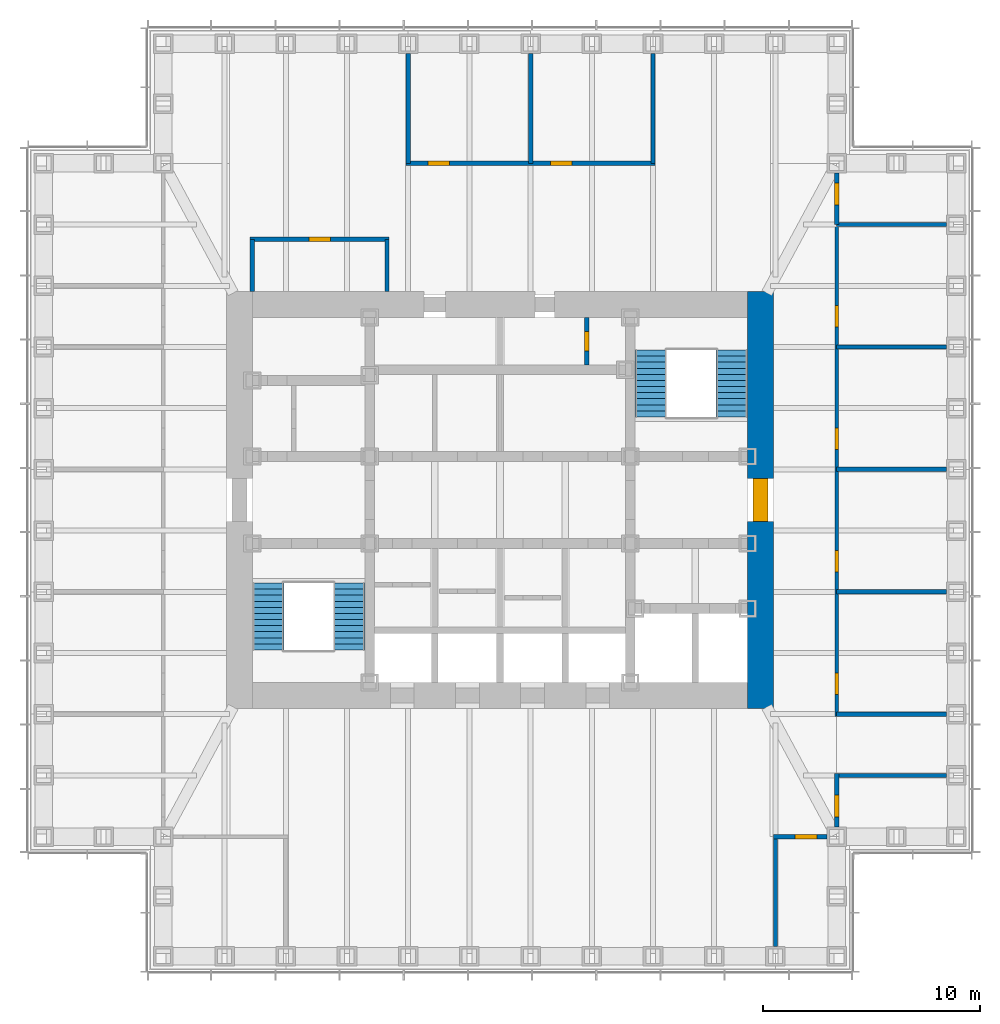
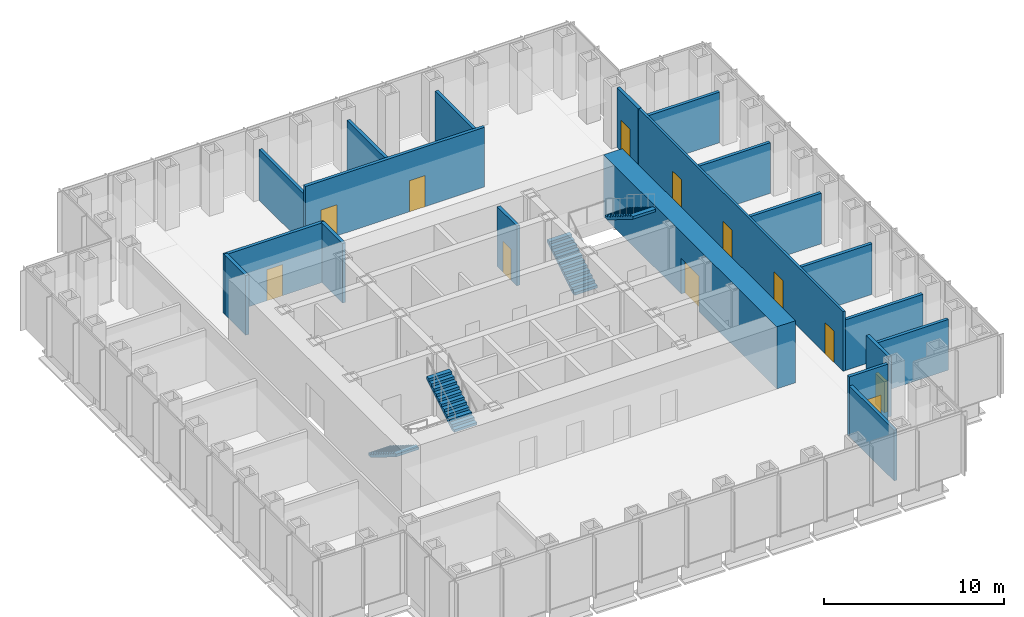
# One storey, part 10 of 16: 20 walls, 12 doors, 4 stair flights, 12 openings, 2 elements without a shape of their own.
"""IFC4 building model written with IfcOpenShell, lengths in metres."""

from ifc_helpers import new_model, si_unit, direction, frame, frame_2d, origin, place, context, subcontext, project, spatial, polyline, rectangle, outline, extrude, material, layer, layer_set, type_object, element, fill, aggregate, save


model = new_model("IFC4")

# Units and contexts
model_context = context("Model", 3, precision=1e-05, world=origin(), true_north=direction((0.0, 1.0)))
body_context = subcontext(model_context, "Body", "Model", "MODEL_VIEW")
ifc_project = project(units=[si_unit("LENGTHUNIT", "METRE"), si_unit("AREAUNIT", "SQUARE_METRE"), si_unit("VOLUMEUNIT", "CUBIC_METRE"), si_unit("PLANEANGLEUNIT", "RADIAN"), si_unit("MASSUNIT", "GRAM", prefix="KILO")], contexts=[model_context])

# Site, building, storey
site_placement = place(None, origin())
site = spatial("IfcSite", under=ifc_project, at=site_placement, CompositionType="ELEMENT")
building_placement = place(site_placement, origin())
building = spatial("IfcBuilding", under=site, at=building_placement, Name="Daluyong Arena Tower", CompositionType="ELEMENT")
storey_placement = place(building_placement, frame((0.0, 0.0, 189.699951171875)))
storey = spatial("IfcBuildingStorey", under=building, at=storey_placement, Name="L42", CompositionType="ELEMENT", Elevation=189.699951171875)

# Wall, opening, door
ifc_material_1 = material(Name="Concrete fc' 60 MPa", Category="concrete")
ifc_layer_1 = layer(ifc_material_1, 1.199951171875)
ifc_layer_set_1 = layer_set([ifc_layer_1], Name="Concrete fc' 60 MPa")
wall_type_1 = type_object("IfcWallType", Name="Core wall 1200", PredefinedType="SHEAR", material=ifc_layer_set_1)
wall_1_placement = place(storey_placement, frame((68.0, 70.39990234375, 0.0), z_axis=(0.0, 0.0, 1.0), x_axis=(0.0, 1.0, 0.0)))
wall_1 = element("IfcWall", 1, at=wall_1_placement, inside=storey, type_object=wall_type_1, Name="core wall at L42", PredefinedType="SHEAR", context=body_context, shape_type="SweptSolid", body=[
    extrude(rectangle(XDim=19.2001953125, YDim=1.199951171875, at=frame_2d((9.60009765625, 0.0))), origin(), (0.0, 0.0, 1.0), 4.199951171875),
])
opening_1_placement = place(wall_1_placement, frame((8.60009765625, 0.0, 0.0)))
opening_1 = element("IfcOpeningElement", 2, at=opening_1_placement, cuts=wall_1, Name="Opening 42021", PredefinedType="OPENING", context=body_context, shape_type="SweptSolid", body=[
    extrude(rectangle(XDim=2.0, YDim=2.39990234375, at=frame_2d((1.0, 1.199951171875))), frame((0.0, 0.60986328125, 0.0), z_axis=(0.0, -1.0, 0.0), x_axis=(1.0, 0.0, 0.0)), (0.0, 0.0, 1.0), 1.219970703125),
])
ifc_material_2 = material(Name="Steel door, fire rated", Category="steel")
door_type_1 = type_object("IfcDoorType", Name="Core lobby double door 2000", OperationType="DOUBLE_DOOR_SINGLE_SWING", PredefinedType="DOOR", material=ifc_material_2)
door_1_placement = place(opening_1_placement, origin())
door_1 = element("IfcDoor", 3, at=door_1_placement, inside=storey, type_object=door_type_1, Name="core lobby door east 42021", OperationType="DOUBLE_DOOR_SINGLE_SWING", OverallHeight=2.39990234375, OverallWidth=2.0, PredefinedType="DOOR", context=body_context, shape_type="SweptSolid", body=[
    extrude(rectangle(XDim=2.0, YDim=2.39990234375, at=frame_2d((1.0, 1.199951171875))), frame((0.0, 0.35009765625, 0.0), z_axis=(0.0, -1.0, 0.0), x_axis=(1.0, 0.0, 0.0)), (0.0, 0.0, 1.0), 0.699951171875),
])
fill(opening_1, door_1)

ifc_material_3 = material(Name="Concrete block partition, fire rated", Category="concrete")
ifc_layer_2 = layer(ifc_material_3, 0.199951171875)
ifc_layer_set_2 = layer_set([ifc_layer_2], Name="Concrete block partition, fire rated")
wall_type_2 = type_object("IfcWallType", Name="Fire-rated partition 200", PredefinedType="PARTITIONING", material=ifc_layer_set_2)
wall_2_placement = place(storey_placement, frame((60.0, 86.22509765625, 0.0), z_axis=(0.0, 0.0, 1.0), x_axis=(0.0, 1.0, 0.0)))
wall_2 = element("IfcWall", 4, at=wall_2_placement, inside=storey, type_object=wall_type_2, Name="electrical riser enclosure at L42", PredefinedType="PARTITIONING", context=body_context, shape_type="SweptSolid", body=[
    extrude(rectangle(XDim=2.1748046875, YDim=0.199951171875, at=frame_2d((1.08740234375, 0.0))), origin(), (0.0, 0.0, 1.0), 4.0400390625),
])
opening_2_placement = place(wall_2_placement, frame((0.637451171875, 0.0, 0.0)))
opening_2 = element("IfcOpeningElement", 5, at=opening_2_placement, cuts=wall_2, Name="Opening 42006", PredefinedType="OPENING", context=body_context, shape_type="SweptSolid", body=[
    extrude(rectangle(XDim=0.89990234375, YDim=2.10009765625, at=frame_2d((0.449951171875, 1.050048828125))), frame((0.0, 0.10986328125, 0.0), z_axis=(0.0, -1.0, 0.0), x_axis=(1.0, 0.0, 0.0)), (0.0, 0.0, 1.0), 0.219970703125),
])
ifc_material_4 = material(Name="Steel door, fire rated", Category="steel")
door_type_2 = type_object("IfcDoorType", Name="Riser door 900", OperationType="SINGLE_SWING_LEFT", PredefinedType="DOOR", material=ifc_material_4)
door_2_placement = place(opening_2_placement, origin())
door_2 = element("IfcDoor", 6, at=door_2_placement, inside=storey, type_object=door_type_2, Name="riser door 42006", OperationType="SINGLE_SWING_LEFT", OverallHeight=2.10009765625, OverallWidth=0.89990234375, PredefinedType="DOOR", context=body_context, shape_type="SweptSolid", body=[
    extrude(rectangle(XDim=0.89990234375, YDim=2.10009765625, at=frame_2d((0.449951171875, 1.050048828125))), frame((0.0, 0.099609375, 0.0), z_axis=(0.0, -1.0, 0.0), x_axis=(1.0, 0.0, 0.0)), (0.0, 0.0, 1.0), 0.199462890625),
])
fill(opening_2, door_2)

# Wall, openings, doors
ifc_material_5 = material(Name="Glazed aluminium partition", Category="aluminium")
ifc_layer_3 = layer(ifc_material_5, 0.14990234375)
ifc_layer_set_3 = layer_set([ifc_layer_3], Name="Glazed aluminium partition")
wall_type_3 = type_object("IfcWallType", Name="Glazed partition 150", PredefinedType="PARTITIONING", material=ifc_layer_set_3)
wall_3_placement = place(storey_placement, frame((71.5, 70.036376953125, 0.0), z_axis=(0.0, 0.0, 1.0), x_axis=(0.0, 1.0, 0.0)))
wall_3 = element("IfcWall", 7, at=wall_3_placement, inside=storey, type_object=wall_type_3, Name="glazed partition at L42", PredefinedType="PARTITIONING", context=body_context, shape_type="SweptSolid", body=[
    extrude(rectangle(XDim=22.6455078125, YDim=0.14990234375, at=frame_2d((11.32275390625, 0.0))), origin(), (0.0, 0.0, 1.0), 4.0400390625),
])
opening_3_placement = place(wall_3_placement, frame((1.009033203125, 0.0, 0.0)))
opening_3 = element("IfcOpeningElement", 8, at=opening_3_placement, cuts=wall_3, Name="Opening 42034", PredefinedType="OPENING", context=body_context, shape_type="SweptSolid", body=[
    extrude(rectangle(XDim=1.0, YDim=2.10009765625, at=frame_2d((0.5, 1.050048828125))), frame((0.0, 0.0849609375, 0.0), z_axis=(0.0, -1.0, 0.0), x_axis=(1.0, 0.0, 0.0)), (0.0, 0.0, 1.0), 0.169921875),
])
opening_4_placement = place(wall_3_placement, frame((6.6455078125, 0.0, 0.0)))
opening_4 = element("IfcOpeningElement", 9, at=opening_4_placement, cuts=wall_3, Name="Opening 42035", PredefinedType="OPENING", context=body_context, shape_type="SweptSolid", body=[
    extrude(rectangle(XDim=1.0, YDim=2.10009765625, at=frame_2d((0.5, 1.050048828125))), frame((0.0, 0.0849609375, 0.0), z_axis=(0.0, -1.0, 0.0), x_axis=(1.0, 0.0, 0.0)), (0.0, 0.0, 1.0), 0.169921875),
])
opening_5_placement = place(wall_3_placement, frame((12.28173828125, 0.0, 0.0)))
opening_5 = element("IfcOpeningElement", 10, at=opening_5_placement, cuts=wall_3, Name="Opening 42036", PredefinedType="OPENING", context=body_context, shape_type="SweptSolid", body=[
    extrude(rectangle(XDim=1.0, YDim=2.10009765625, at=frame_2d((0.5, 1.050048828125))), frame((0.0, 0.0849609375, 0.0), z_axis=(0.0, -1.0, 0.0), x_axis=(1.0, 0.0, 0.0)), (0.0, 0.0, 1.0), 0.169921875),
])
opening_6_placement = place(wall_3_placement, frame((17.918212890625, 0.0, 0.0)))
opening_6 = element("IfcOpeningElement", 11, at=opening_6_placement, cuts=wall_3, Name="Opening 42037", PredefinedType="OPENING", context=body_context, shape_type="SweptSolid", body=[
    extrude(rectangle(XDim=1.0, YDim=2.10009765625, at=frame_2d((0.5, 1.050048828125))), frame((0.0, 0.0849609375, 0.0), z_axis=(0.0, -1.0, 0.0), x_axis=(1.0, 0.0, 0.0)), (0.0, 0.0, 1.0), 0.169921875),
])
ifc_material_6 = material(Name="Timber door", Category="wood")
door_type_3 = type_object("IfcDoorType", Name="Room door 1000", OperationType="SINGLE_SWING_LEFT", PredefinedType="DOOR", material=ifc_material_6)
door_3_placement = place(opening_3_placement, origin())
door_3 = element("IfcDoor", 12, at=door_3_placement, inside=storey, type_object=door_type_3, Name="office door 42034", OperationType="SINGLE_SWING_LEFT", OverallHeight=2.10009765625, OverallWidth=1.0, PredefinedType="DOOR", context=body_context, shape_type="SweptSolid", body=[
    extrude(rectangle(XDim=1.0, YDim=2.10009765625, at=frame_2d((0.5, 1.050048828125))), frame((0.0, 0.07470703125, 0.0), z_axis=(0.0, -1.0, 0.0), x_axis=(1.0, 0.0, 0.0)), (0.0, 0.0, 1.0), 0.1494140625),
])
fill(opening_3, door_3)
door_4_placement = place(opening_4_placement, origin())
door_4 = element("IfcDoor", 13, at=door_4_placement, inside=storey, type_object=door_type_3, Name="office door 42035", OperationType="SINGLE_SWING_LEFT", OverallHeight=2.10009765625, OverallWidth=1.0, PredefinedType="DOOR", context=body_context, shape_type="SweptSolid", body=[
    extrude(rectangle(XDim=1.0, YDim=2.10009765625, at=frame_2d((0.5, 1.050048828125))), frame((0.0, 0.07470703125, 0.0), z_axis=(0.0, -1.0, 0.0), x_axis=(1.0, 0.0, 0.0)), (0.0, 0.0, 1.0), 0.1494140625),
])
fill(opening_4, door_4)
door_5_placement = place(opening_5_placement, origin())
door_5 = element("IfcDoor", 14, at=door_5_placement, inside=storey, type_object=door_type_3, Name="office door 42036", OperationType="SINGLE_SWING_LEFT", OverallHeight=2.10009765625, OverallWidth=1.0, PredefinedType="DOOR", context=body_context, shape_type="SweptSolid", body=[
    extrude(rectangle(XDim=1.0, YDim=2.10009765625, at=frame_2d((0.5, 1.050048828125))), frame((0.0, 0.07470703125, 0.0), z_axis=(0.0, -1.0, 0.0), x_axis=(1.0, 0.0, 0.0)), (0.0, 0.0, 1.0), 0.1494140625),
])
fill(opening_5, door_5)
door_6_placement = place(opening_6_placement, origin())
door_6 = element("IfcDoor", 15, at=door_6_placement, inside=storey, type_object=door_type_3, Name="office door 42037", OperationType="SINGLE_SWING_LEFT", OverallHeight=2.10009765625, OverallWidth=1.0, PredefinedType="DOOR", context=body_context, shape_type="SweptSolid", body=[
    extrude(rectangle(XDim=1.0, YDim=2.10009765625, at=frame_2d((0.5, 1.050048828125))), frame((0.0, 0.07470703125, 0.0), z_axis=(0.0, -1.0, 0.0), x_axis=(1.0, 0.0, 0.0)), (0.0, 0.0, 1.0), 0.1494140625),
])
fill(opening_6, door_6)

# Walls
ifc_material_7 = material(Name="Concrete block partition", Category="concrete")
ifc_layer_4 = layer(ifc_material_7, 0.199951171875)
ifc_layer_set_4 = layer_set([ifc_layer_4], Name="Concrete block partition")
wall_type_4 = type_object("IfcWallType", Name="Partition 200", PredefinedType="PARTITIONING", material=ifc_layer_set_4)
for number, where, z_axis, x_axis, name in (
    (16, (68.681884765625, 59.449951171875, 0.0), (0.0, 0.0, 1.0), (0.0, 1.0, 0.0), "partition at L42"),
    (17, (71.5, 67.318115234375, 0.0), (0.0, 0.0, 1.0), (1.0, 0.0, 0.0), "partition at L42"),
    (18, (71.5, 70.136474609375, 0.0), (0.0, 0.0, 1.0), (1.0, 0.0, 0.0), "partition at L42"),
    (19, (71.5, 75.772705078125, 0.0), (0.0, 0.0, 1.0), (1.0, 0.0, 0.0), "partition at L42"),
    (20, (71.5, 81.4091796875, 0.0), (0.0, 0.0, 1.0), (1.0, 0.0, 0.0), "partition at L42"),
    (21, (71.5, 87.04541015625, 0.0), (0.0, 0.0, 1.0), (1.0, 0.0, 0.0), "partition at L42"),
    (22, (71.5, 92.681884765625, 0.0), (0.0, 0.0, 1.0), (1.0, 0.0, 0.0), "partition at L42"),
    (23, (51.772705078125, 95.5, 0.0), (0.0, 0.0, 1.0), (0.0, 1.0, 0.0), "partition at L42"),
    (24, (57.4091796875, 95.5, 0.0), (0.0, 0.0, 1.0), (0.0, 1.0, 0.0), "partition at L42"),
    (25, (63.04541015625, 95.5, 0.0), (0.0, 0.0, 1.0), (0.0, 1.0, 0.0), "partition at L42"),
):
    element("IfcWall", number, at=place(storey_placement, frame(where, z_axis=z_axis, x_axis=x_axis)), inside=storey, type_object=wall_type_4, Name=name, PredefinedType="PARTITIONING", context=body_context, shape_type="SweptSolid", body=[
        extrude(rectangle(XDim=5.050048828125, YDim=0.199951171875, at=frame_2d((2.52490234375, 0.0))), origin(), (0.0, 0.0, 1.0), 3.427978515625),
    ])
for number, where, z_axis, x_axis, name in (
    (26, (44.60009765625, 89.60009765625, 0.0), (0.0, 0.0, 1.0), (0.0, 1.0, 0.0), "partition at L42"),
    (27, (50.800048828125, 89.60009765625, 0.0), (0.0, 0.0, 1.0), (0.0, 1.0, 0.0), "partition at L42"),
):
    element("IfcWall", number, at=place(storey_placement, frame(where, z_axis=z_axis, x_axis=x_axis)), inside=storey, type_object=wall_type_4, Name=name, PredefinedType="PARTITIONING", context=body_context, shape_type="SweptSolid", body=[
        extrude(rectangle(XDim=2.39990234375, YDim=0.199951171875, at=frame_2d((1.199951171875, 0.0))), origin(), (0.0, 0.0, 1.0), 4.0400390625),
    ])

# Wall, opening, door
wall_4_placement = place(storey_placement, frame((68.581787109375, 64.5, 0.0), z_axis=(0.0, 0.0, 1.0), x_axis=(1.0, 0.0, 0.0)))
wall_4 = element("IfcWall", 28, at=wall_4_placement, inside=storey, type_object=wall_type_4, Name="partition at L42", PredefinedType="PARTITIONING", context=body_context, shape_type="SweptSolid", body=[
    extrude(rectangle(XDim=2.46826171875, YDim=0.199951171875, at=frame_2d((1.234130859375, 0.0))), origin(), (0.0, 0.0, 1.0), 4.0400390625),
])
opening_7_placement = place(wall_4_placement, frame((1.009033203125, 0.0, 0.0)))
opening_7 = element("IfcOpeningElement", 29, at=opening_7_placement, cuts=wall_4, Name="Opening 42032", PredefinedType="OPENING", context=body_context, shape_type="SweptSolid", body=[
    extrude(rectangle(XDim=1.0, YDim=2.10009765625, at=frame_2d((0.5, 1.050048828125))), frame((0.0, 0.10986328125, 0.0), z_axis=(0.0, -1.0, 0.0), x_axis=(1.0, 0.0, 0.0)), (0.0, 0.0, 1.0), 0.219970703125),
])
door_7_placement = place(opening_7_placement, origin())
door_7 = element("IfcDoor", 30, at=door_7_placement, inside=storey, type_object=door_type_3, Name="wellness room door 42032", OperationType="SINGLE_SWING_LEFT", OverallHeight=2.10009765625, OverallWidth=1.0, PredefinedType="DOOR", context=body_context, shape_type="SweptSolid", body=[
    extrude(rectangle(XDim=1.0, YDim=2.10009765625, at=frame_2d((0.5, 1.050048828125))), frame((0.0, 0.099609375, 0.0), z_axis=(0.0, -1.0, 0.0), x_axis=(1.0, 0.0, 0.0)), (0.0, 0.0, 1.0), 0.199462890625),
])
fill(opening_7, door_7)

wall_5_placement = place(storey_placement, frame((44.5, 92.0, 0.0), z_axis=(0.0, 0.0, 1.0), x_axis=(1.0, 0.0, 0.0)))
wall_5 = element("IfcWall", 31, at=wall_5_placement, inside=storey, type_object=wall_type_4, Name="partition at L42", PredefinedType="PARTITIONING", context=body_context, shape_type="SweptSolid", body=[
    extrude(rectangle(XDim=6.39990234375, YDim=0.199951171875, at=frame_2d((3.199951171875, 0.0))), origin(), (0.0, 0.0, 1.0), 4.0400390625),
])
opening_8_placement = place(wall_5_placement, frame((2.699951171875, 0.0, 0.0)))
opening_8 = element("IfcOpeningElement", 32, at=opening_8_placement, cuts=wall_5, Name="Opening 42047", PredefinedType="OPENING", context=body_context, shape_type="SweptSolid", body=[
    extrude(rectangle(XDim=1.0, YDim=2.10009765625, at=frame_2d((0.5, 1.050048828125))), frame((0.0, 0.10986328125, 0.0), z_axis=(0.0, -1.0, 0.0), x_axis=(1.0, 0.0, 0.0)), (0.0, 0.0, 1.0), 0.219970703125),
])
door_8_placement = place(opening_8_placement, origin())
door_8 = element("IfcDoor", 33, at=door_8_placement, inside=storey, type_object=door_type_3, Name="copy room door 42047", OperationType="SINGLE_SWING_LEFT", OverallHeight=2.10009765625, OverallWidth=1.0, PredefinedType="DOOR", context=body_context, shape_type="SweptSolid", body=[
    extrude(rectangle(XDim=1.0, YDim=2.10009765625, at=frame_2d((0.5, 1.050048828125))), frame((0.0, 0.099609375, 0.0), z_axis=(0.0, -1.0, 0.0), x_axis=(1.0, 0.0, 0.0)), (0.0, 0.0, 1.0), 0.199462890625),
])
fill(opening_8, door_8)

# Wall, openings, doors
wall_6_placement = place(storey_placement, frame((51.672607421875, 95.5, 0.0), z_axis=(0.0, 0.0, 1.0), x_axis=(1.0, 0.0, 0.0)))
wall_6 = element("IfcWall", 34, at=wall_6_placement, inside=storey, type_object=wall_type_4, Name="partition at L42", PredefinedType="PARTITIONING", context=body_context, shape_type="SweptSolid", body=[
    extrude(rectangle(XDim=11.472900390625, YDim=0.199951171875, at=frame_2d((5.736328125, 0.0))), origin(), (0.0, 0.0, 1.0), 4.0400390625),
])
opening_9_placement = place(wall_6_placement, frame((1.009033203125, 0.0, 0.0)))
opening_9 = element("IfcOpeningElement", 35, at=opening_9_placement, cuts=wall_6, Name="Opening 42039", PredefinedType="OPENING", context=body_context, shape_type="SweptSolid", body=[
    extrude(rectangle(XDim=1.0, YDim=2.10009765625, at=frame_2d((0.5, 1.050048828125))), frame((0.0, 0.10986328125, 0.0), z_axis=(0.0, -1.0, 0.0), x_axis=(1.0, 0.0, 0.0)), (0.0, 0.0, 1.0), 0.219970703125),
])
opening_10_placement = place(wall_6_placement, frame((6.6455078125, 0.0, 0.0)))
opening_10 = element("IfcOpeningElement", 36, at=opening_10_placement, cuts=wall_6, Name="Opening 42040", PredefinedType="OPENING", context=body_context, shape_type="SweptSolid", body=[
    extrude(rectangle(XDim=1.0, YDim=2.10009765625, at=frame_2d((0.5, 1.050048828125))), frame((0.0, 0.10986328125, 0.0), z_axis=(0.0, -1.0, 0.0), x_axis=(1.0, 0.0, 0.0)), (0.0, 0.0, 1.0), 0.219970703125),
])
door_9_placement = place(opening_9_placement, origin())
door_9 = element("IfcDoor", 37, at=door_9_placement, inside=storey, type_object=door_type_3, Name="project room door 42039", OperationType="SINGLE_SWING_LEFT", OverallHeight=2.10009765625, OverallWidth=1.0, PredefinedType="DOOR", context=body_context, shape_type="SweptSolid", body=[
    extrude(rectangle(XDim=1.0, YDim=2.10009765625, at=frame_2d((0.5, 1.050048828125))), frame((0.0, 0.099609375, 0.0), z_axis=(0.0, -1.0, 0.0), x_axis=(1.0, 0.0, 0.0)), (0.0, 0.0, 1.0), 0.199462890625),
])
fill(opening_9, door_9)
door_10_placement = place(opening_10_placement, origin())
door_10 = element("IfcDoor", 38, at=door_10_placement, inside=storey, type_object=door_type_3, Name="pantry door 42040", OperationType="SINGLE_SWING_LEFT", OverallHeight=2.10009765625, OverallWidth=1.0, PredefinedType="DOOR", context=body_context, shape_type="SweptSolid", body=[
    extrude(rectangle(XDim=1.0, YDim=2.10009765625, at=frame_2d((0.5, 1.050048828125))), frame((0.0, 0.099609375, 0.0), z_axis=(0.0, -1.0, 0.0), x_axis=(1.0, 0.0, 0.0)), (0.0, 0.0, 1.0), 0.199462890625),
])
fill(opening_10, door_10)

# Wall, opening, door
wall_7_placement = place(storey_placement, frame((71.5, 64.949951171875, 0.0), z_axis=(0.0, 0.0, 1.0), x_axis=(0.0, 1.0, 0.0)))
wall_7 = element("IfcWall", 39, at=wall_7_placement, inside=storey, type_object=wall_type_4, Name="partition at L42", PredefinedType="PARTITIONING", context=body_context, shape_type="SweptSolid", body=[
    extrude(rectangle(XDim=2.46826171875, YDim=0.199951171875, at=frame_2d((1.234130859375, 0.0))), origin(), (0.0, 0.0, 1.0), 4.0400390625),
])
opening_11_placement = place(wall_7_placement, frame((0.458984375, 0.0, 0.0)))
opening_11 = element("IfcOpeningElement", 40, at=opening_11_placement, cuts=wall_7, Name="Opening 42033", PredefinedType="OPENING", context=body_context, shape_type="SweptSolid", body=[
    extrude(rectangle(XDim=1.0, YDim=2.10009765625, at=frame_2d((0.5, 1.050048828125))), frame((0.0, 0.10986328125, 0.0), z_axis=(0.0, -1.0, 0.0), x_axis=(1.0, 0.0, 0.0)), (0.0, 0.0, 1.0), 0.219970703125),
])
door_11_placement = place(opening_11_placement, origin())
door_11 = element("IfcDoor", 41, at=door_11_placement, inside=storey, type_object=door_type_3, Name="wellness room door 42033", OperationType="SINGLE_SWING_LEFT", OverallHeight=2.10009765625, OverallWidth=1.0, PredefinedType="DOOR", context=body_context, shape_type="SweptSolid", body=[
    extrude(rectangle(XDim=1.0, YDim=2.10009765625, at=frame_2d((0.5, 1.050048828125))), frame((0.0, 0.099609375, 0.0), z_axis=(0.0, -1.0, 0.0), x_axis=(1.0, 0.0, 0.0)), (0.0, 0.0, 1.0), 0.199462890625),
])
fill(opening_11, door_11)

wall_8_placement = place(storey_placement, frame((71.5, 92.681884765625, 0.0), z_axis=(0.0, 0.0, 1.0), x_axis=(0.0, 1.0, 0.0)))
wall_8 = element("IfcWall", 42, at=wall_8_placement, inside=storey, type_object=wall_type_4, Name="partition at L42", PredefinedType="PARTITIONING", context=body_context, shape_type="SweptSolid", body=[
    extrude(rectangle(XDim=2.3681640625, YDim=0.199951171875, at=frame_2d((1.18408203125, 0.0))), origin(), (0.0, 0.0, 1.0), 4.0400390625),
])
opening_12_placement = place(wall_8_placement, frame((0.9091796875, 0.0, 0.0)))
opening_12 = element("IfcOpeningElement", 43, at=opening_12_placement, cuts=wall_8, Name="Opening 42038", PredefinedType="OPENING", context=body_context, shape_type="SweptSolid", body=[
    extrude(rectangle(XDim=1.0, YDim=2.10009765625, at=frame_2d((0.5, 1.050048828125))), frame((0.0, 0.10986328125, 0.0), z_axis=(0.0, -1.0, 0.0), x_axis=(1.0, 0.0, 0.0)), (0.0, 0.0, 1.0), 0.219970703125),
])
door_12_placement = place(opening_12_placement, origin())
door_12 = element("IfcDoor", 44, at=door_12_placement, inside=storey, type_object=door_type_3, Name="wellness room door 42038", OperationType="SINGLE_SWING_LEFT", OverallHeight=2.10009765625, OverallWidth=1.0, PredefinedType="DOOR", context=body_context, shape_type="SweptSolid", body=[
    extrude(rectangle(XDim=1.0, YDim=2.10009765625, at=frame_2d((0.5, 1.050048828125))), frame((0.0, 0.099609375, 0.0), z_axis=(0.0, -1.0, 0.0), x_axis=(1.0, 0.0, 0.0)), (0.0, 0.0, 1.0), 0.199462890625),
])
fill(opening_12, door_12)

# Stair, stair flights
ifc_material_8 = material(Name="Concrete fc' 35 MPa", Category="concrete")
stair_type = type_object("IfcStairType", Name="Core exit stair", PredefinedType="HALF_TURN_STAIR", material=ifc_material_8)
stair_1_placement = place(storey_placement, origin())
stair_1 = element("IfcStair", 45, at=stair_1_placement, inside=storey, type_object=stair_type, Name="exit stair A L42", PredefinedType="HALF_TURN_STAIR")
ifc_material_9 = material(Name="Concrete fc' 35 MPa", Category="concrete")
stair_flight_type = type_object("IfcStairFlightType", Name="Core stair flight", PredefinedType="STRAIGHT", material=ifc_material_9)
stair_flight_1_placement = place(storey_placement, frame((45.324951171875, 76.175048828125, 0.0), z_axis=(0.0, 0.0, 1.0), x_axis=(0.0, -1.0, 0.0)))
stair_flight_1 = element("IfcStairFlight", 46, at=stair_flight_1_placement, type_object=stair_flight_type, Name="STA flight 1", NumberOfRisers=12, NumberOfTreads=11, PredefinedType="STRAIGHT", RiserHeight=0.175, TreadLength=0.28, context=body_context, shape_type="SweptSolid", body=[
    extrude(outline(polyline([(0.0, 0.0), (0.0, 0.175048828125), (0.280029296875, 0.175048828125), (0.280029296875, 0.35009765625), (0.56005859375, 0.35009765625), (0.56005859375, 0.52490234375), (0.840087890625, 0.52490234375), (0.840087890625, 0.699951171875), (1.1201171875, 0.699951171875), (1.1201171875, 0.875), (1.39990234375, 0.875), (1.39990234375, 1.050048828125), (1.679931640625, 1.050048828125), (1.679931640625, 1.22509765625), (1.9599609375, 1.22509765625), (1.9599609375, 1.39990234375), (2.239990234375, 1.39990234375), (2.239990234375, 1.574951171875), (2.52001953125, 1.574951171875), (2.52001953125, 1.75), (2.800048828125, 1.75), (2.800048828125, 1.925048828125), (3.080078125, 1.925048828125), (3.080078125, 2.10009765625), (3.080078125, 1.748291015625), (0.28271484375, 0.0), (0.0, 0.0)])), frame((0.0, 0.72509765625, 0.0), z_axis=(0.0, -1.0, 0.0), x_axis=(1.0, 0.0, 0.0)), (0.0, 0.0, 1.0), 1.449951171875),
])
stair_flight_2_placement = place(storey_placement, frame((49.050048828125, 73.094970703125, 2.10009765625), z_axis=(0.0, 0.0, 1.0), x_axis=(0.0, 1.0, 0.0)))
stair_flight_2 = element("IfcStairFlight", 47, at=stair_flight_2_placement, type_object=stair_flight_type, Name="STA flight 2", NumberOfRisers=12, NumberOfTreads=11, PredefinedType="STRAIGHT", RiserHeight=0.175, TreadLength=0.28, context=body_context, shape_type="SweptSolid", body=[
    extrude(outline(polyline([(0.0, 0.0), (0.0, 0.175048828125), (0.280029296875, 0.175048828125), (0.280029296875, 0.35009765625), (0.56005859375, 0.35009765625), (0.56005859375, 0.52490234375), (0.840087890625, 0.52490234375), (0.840087890625, 0.699951171875), (1.1201171875, 0.699951171875), (1.1201171875, 0.875), (1.39990234375, 0.875), (1.39990234375, 1.050048828125), (1.679931640625, 1.050048828125), (1.679931640625, 1.22509765625), (1.9599609375, 1.22509765625), (1.9599609375, 1.39990234375), (2.239990234375, 1.39990234375), (2.239990234375, 1.574951171875), (2.52001953125, 1.574951171875), (2.52001953125, 1.75), (2.800048828125, 1.75), (2.800048828125, 1.925048828125), (3.080078125, 1.925048828125), (3.080078125, 2.10009765625), (3.080078125, 1.748291015625), (0.28271484375, 0.0), (0.0, 0.0)])), frame((0.0, 0.72509765625, 0.0), z_axis=(0.0, -1.0, 0.0), x_axis=(1.0, 0.0, 0.0)), (0.0, 0.0, 1.0), 1.449951171875),
])
aggregate(stair_1, [stair_flight_1, stair_flight_2])

stair_2_placement = place(storey_placement, origin())
stair_2 = element("IfcStair", 48, at=stair_2_placement, inside=storey, type_object=stair_type, Name="exit stair B L42", PredefinedType="HALF_TURN_STAIR")
stair_flight_3_placement = place(storey_placement, frame((62.949951171875, 83.824951171875, 0.0), z_axis=(0.0, 0.0, 1.0), x_axis=(0.0, 1.0, 0.0)))
stair_flight_3 = element("IfcStairFlight", 49, at=stair_flight_3_placement, type_object=stair_flight_type, Name="STB flight 1", NumberOfRisers=12, NumberOfTreads=11, PredefinedType="STRAIGHT", RiserHeight=0.175, TreadLength=0.28, context=body_context, shape_type="SweptSolid", body=[
    extrude(outline(polyline([(0.0, 0.0), (0.0, 0.175048828125), (0.280029296875, 0.175048828125), (0.280029296875, 0.35009765625), (0.56005859375, 0.35009765625), (0.56005859375, 0.52490234375), (0.840087890625, 0.52490234375), (0.840087890625, 0.699951171875), (1.1201171875, 0.699951171875), (1.1201171875, 0.875), (1.39990234375, 0.875), (1.39990234375, 1.050048828125), (1.679931640625, 1.050048828125), (1.679931640625, 1.22509765625), (1.9599609375, 1.22509765625), (1.9599609375, 1.39990234375), (2.239990234375, 1.39990234375), (2.239990234375, 1.574951171875), (2.52001953125, 1.574951171875), (2.52001953125, 1.75), (2.800048828125, 1.75), (2.800048828125, 1.925048828125), (3.080078125, 1.925048828125), (3.080078125, 2.10009765625), (3.080078125, 1.748291015625), (0.28271484375, 0.0), (0.0, 0.0)])), frame((0.0, 0.72509765625, 0.0), z_axis=(0.0, -1.0, 0.0), x_axis=(1.0, 0.0, 0.0)), (0.0, 0.0, 1.0), 1.449951171875),
])
stair_flight_4_placement = place(storey_placement, frame((66.675048828125, 86.905029296875, 2.10009765625), z_axis=(0.0, 0.0, 1.0), x_axis=(0.0, -1.0, 0.0)))
stair_flight_4 = element("IfcStairFlight", 50, at=stair_flight_4_placement, type_object=stair_flight_type, Name="STB flight 2", NumberOfRisers=12, NumberOfTreads=11, PredefinedType="STRAIGHT", RiserHeight=0.175, TreadLength=0.28, context=body_context, shape_type="SweptSolid", body=[
    extrude(outline(polyline([(0.0, 0.0), (0.0, 0.175048828125), (0.280029296875, 0.175048828125), (0.280029296875, 0.35009765625), (0.56005859375, 0.35009765625), (0.56005859375, 0.52490234375), (0.840087890625, 0.52490234375), (0.840087890625, 0.699951171875), (1.1201171875, 0.699951171875), (1.1201171875, 0.875), (1.39990234375, 0.875), (1.39990234375, 1.050048828125), (1.679931640625, 1.050048828125), (1.679931640625, 1.22509765625), (1.9599609375, 1.22509765625), (1.9599609375, 1.39990234375), (2.239990234375, 1.39990234375), (2.239990234375, 1.574951171875), (2.52001953125, 1.574951171875), (2.52001953125, 1.75), (2.800048828125, 1.75), (2.800048828125, 1.925048828125), (3.080078125, 1.925048828125), (3.080078125, 2.10009765625), (3.080078125, 1.748291015625), (0.28271484375, 0.0), (0.0, 0.0)])), frame((0.0, 0.72509765625, 0.0), z_axis=(0.0, -1.0, 0.0), x_axis=(1.0, 0.0, 0.0)), (0.0, 0.0, 1.0), 1.449951171875),
])
aggregate(stair_2, [stair_flight_3, stair_flight_4])

save(model, "model.ifc")
